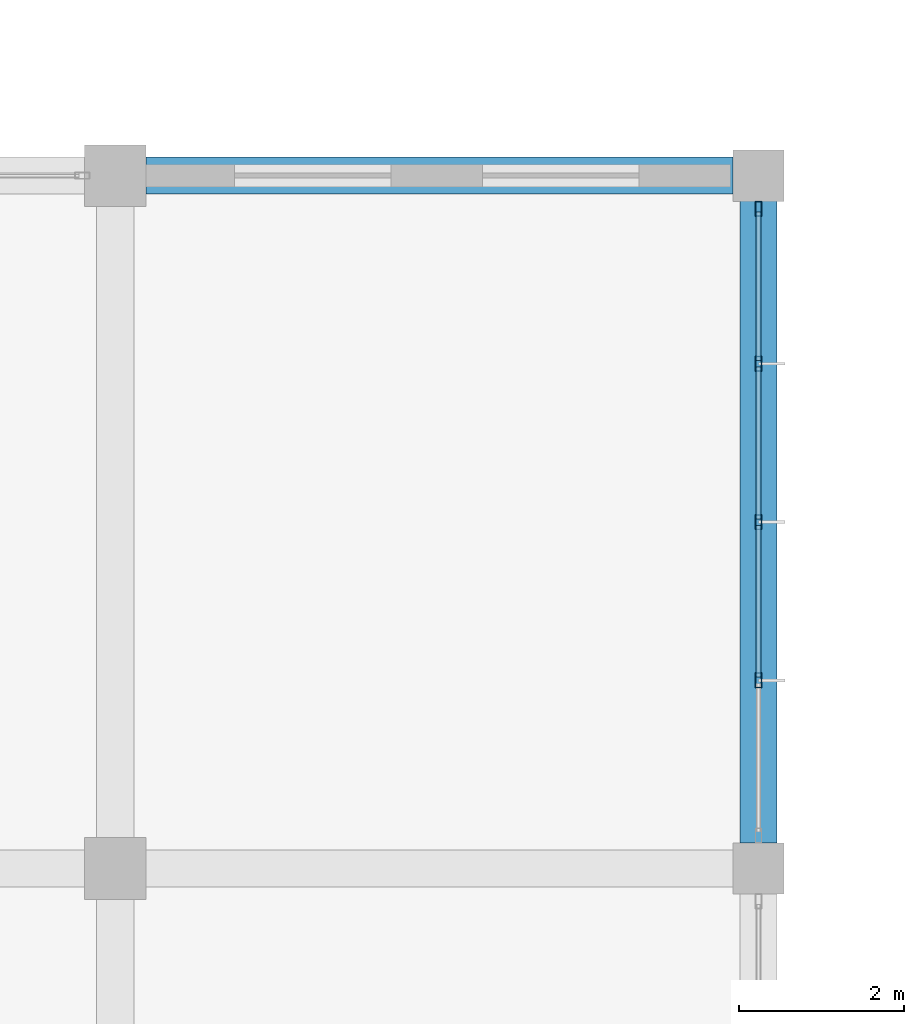
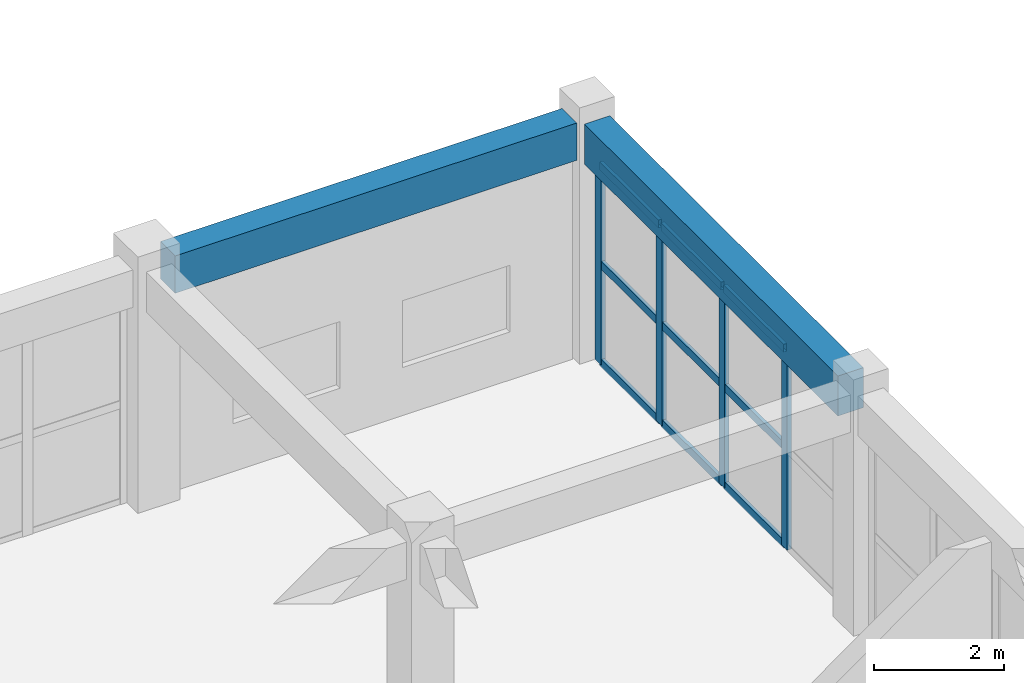
# One storey, part 124 of 167: 13 members, 2 beams, 1 element without a shape of its own.
"""IFC4 building model written with IfcOpenShell, lengths in metres."""

from ifc_helpers import new_model, si_unit, direction, frame, origin, origin_2d, place, context, subcontext, project, spatial, rectangle, hollow_rectangle, extrude, material, layer, layer_set, material_profile, profile_set, type_object, element, aggregate, save


model = new_model("IFC4")

# Units and contexts
model_context = context("Model", 3, precision=1e-05, world=origin(), true_north=direction((0.0, 1.0)))
body_context = subcontext(model_context, "Body", "Model", "MODEL_VIEW")
ifc_project = project(units=[si_unit("LENGTHUNIT", "METRE"), si_unit("AREAUNIT", "SQUARE_METRE"), si_unit("VOLUMEUNIT", "CUBIC_METRE"), si_unit("PLANEANGLEUNIT", "RADIAN"), si_unit("MASSUNIT", "GRAM", prefix="KILO")], contexts=[model_context])

# Site, building, storey
site_placement = place(None, origin())
site = spatial("IfcSite", under=ifc_project, at=site_placement, CompositionType="ELEMENT")
building_placement = place(site_placement, origin())
building = spatial("IfcBuilding", under=site, at=building_placement, Name="Zizhar Promenade General Hospital", CompositionType="ELEMENT")
storey_placement = place(building_placement, frame((0.0, 0.0, 9.60009765625)))
storey = spatial("IfcBuildingStorey", under=building, at=storey_placement, Name="L02", CompositionType="ELEMENT", Elevation=9.60009765625)

# Beams
ifc_material_1 = material(Name="Concrete C35/45", Category="concrete")
ifc_material_profile_1 = material_profile(ifc_material_1, rectangle(XDim=0.449951171875, YDim=0.699951171875, at=origin_2d()))
ifc_profile_set_1 = profile_set([ifc_material_profile_1], Name="Concrete C35/45")
beam_type_1 = type_object("IfcBeamType", Name="BM-RC-450x700", PredefinedType="BEAM", material=ifc_profile_set_1)
beam_1_placement = place(storey_placement, frame((125.175048828125, 134.39990234375, 4.119873046875), z_axis=(1.0, 0.0, 0.0), x_axis=(0.0, 1.0, 0.0)))
element("IfcBeam", 1, at=beam_1_placement, inside=storey, type_object=beam_type_1, Name="Grid Beam X L02 (16-16)", PredefinedType="BEAM", context=body_context, shape_type="SweptSolid", body=[
    extrude(rectangle(XDim=0.449951171875, YDim=0.699951171875, at=origin_2d()), origin(), (0.0, 0.0, 1.0), 7.114990234375),
])
ifc_material_2 = material(Name="Concrete C35/45", Category="concrete")
ifc_material_profile_2 = material_profile(ifc_material_2, rectangle(XDim=0.449951171875, YDim=0.75, at=origin_2d()))
ifc_profile_set_2 = profile_set([ifc_material_profile_2], Name="Concrete C35/45")
beam_type_2 = type_object("IfcBeamType", Name="BM-RC-450x750", PredefinedType="BEAM", material=ifc_profile_set_2)
beam_2_placement = place(storey_placement, frame((132.60009765625, 126.31005859375, 4.094970703125), z_axis=(0.0, 1.0, 0.0), x_axis=(-1.0, 0.0, 0.0)))
element("IfcBeam", 2, at=beam_2_placement, inside=storey, type_object=beam_type_2, Name="Grid Beam Y L02 (17-15)", PredefinedType="BEAM", context=body_context, shape_type="SweptSolid", body=[
    extrude(rectangle(XDim=0.449951171875, YDim=0.75, at=origin_2d()), origin(), (0.0, 0.0, 1.0), 7.780029296875),
])

# Curtain wall, members
ifc_material_3 = material(Name="Anodised aluminium 6063-T6 and low-E glass", Category="aluminium")
ifc_layer = layer(ifc_material_3, 0.159912109375)
ifc_layer_set = layer_set([ifc_layer], Name="Anodised aluminium 6063-T6 and low-E glass")
curtain_wall_type = type_object("IfcCurtainWallType", Name="CW-DT-MOD1", PredefinedType="NOTDEFINED", material=ifc_layer_set)
curtain_wall_placement = place(storey_placement, origin())
curtain_wall = element("IfcCurtainWall", 3, at=curtain_wall_placement, inside=storey, type_object=curtain_wall_type, Name="Surgical East Glazed Curtain Wall L02-15", PredefinedType="NOTDEFINED")
ifc_material_4 = material(Name="Anodised aluminium 6063-T6", Category="aluminium")
ifc_material_profile_3 = material_profile(ifc_material_4, hollow_rectangle(XDim=0.080078125, YDim=0.179931640625, WallThickness=0.0048828125, at=origin_2d()))
ifc_profile_set_3 = profile_set([ifc_material_profile_3], Name="Anodised aluminium 6063-T6")
member_type_1 = type_object("IfcMemberType", Name="CWM-ALU-180x80", PredefinedType="MULLION", material=ifc_profile_set_3)
member_1_placement = place(storey_placement, frame((132.60009765625, 134.0, 0.0), z_axis=(0.0, 0.0, 1.0), x_axis=(1.0, 0.0, 0.0)))
member_1 = element("IfcMember", 4, at=member_1_placement, type_object=member_type_1, Name="CW-07 mullion 1", PredefinedType="MULLION", context=body_context, shape_type="SweptSolid", body=[
    extrude(hollow_rectangle(XDim=0.080078125, YDim=0.179931640625, WallThickness=0.0048828125, at=origin_2d()), origin(), (0.0, 0.0, 1.0), 3.72998046875),
])
member_2_placement = place(storey_placement, frame((132.60009765625, 132.1201171875, 0.0), z_axis=(0.0, 0.0, 1.0), x_axis=(1.0, 0.0, 0.0)))
member_2 = element("IfcMember", 5, at=member_2_placement, type_object=member_type_1, Name="CW-07 mullion 2", PredefinedType="MULLION", context=body_context, shape_type="SweptSolid", body=[
    extrude(hollow_rectangle(XDim=0.080078125, YDim=0.179931640625, WallThickness=0.0048828125, at=origin_2d()), origin(), (0.0, 0.0, 1.0), 3.72998046875),
])
member_3_placement = place(storey_placement, frame((132.60009765625, 130.199951171875, 0.0), z_axis=(0.0, 0.0, 1.0), x_axis=(1.0, 0.0, 0.0)))
member_3 = element("IfcMember", 6, at=member_3_placement, type_object=member_type_1, Name="CW-07 mullion 3", PredefinedType="MULLION", context=body_context, shape_type="SweptSolid", body=[
    extrude(hollow_rectangle(XDim=0.080078125, YDim=0.179931640625, WallThickness=0.0048828125, at=origin_2d()), origin(), (0.0, 0.0, 1.0), 3.72998046875),
])
member_4_placement = place(storey_placement, frame((132.60009765625, 128.280029296875, 0.0), z_axis=(0.0, 0.0, 1.0), x_axis=(1.0, 0.0, 0.0)))
member_4 = element("IfcMember", 7, at=member_4_placement, type_object=member_type_1, Name="CW-07 mullion 4", PredefinedType="MULLION", context=body_context, shape_type="SweptSolid", body=[
    extrude(hollow_rectangle(XDim=0.080078125, YDim=0.179931640625, WallThickness=0.0048828125, at=origin_2d()), origin(), (0.0, 0.0, 1.0), 3.72998046875),
])
ifc_material_5 = material(Name="Anodised aluminium 6063-T6", Category="aluminium")
ifc_material_profile_4 = material_profile(ifc_material_5, hollow_rectangle(XDim=0.06005859375, YDim=0.14990234375, WallThickness=0.00390625, at=origin_2d()))
ifc_profile_set_4 = profile_set([ifc_material_profile_4], Name="Anodised aluminium 6063-T6")
member_type_2 = type_object("IfcMemberType", Name="CWT-ALU-150x60", PredefinedType="USERDEFINED", material=ifc_profile_set_4)
member_5_placement = place(storey_placement, frame((132.60009765625, 133.9599609375, 0.02978515625), z_axis=(0.0, -1.0, 0.0), x_axis=(1.0, 0.0, 0.0)))
member_5 = element("IfcMember", 8, at=member_5_placement, type_object=member_type_2, Name="CW-07 transom 1.1", ObjectType="TRANSOM", PredefinedType="USERDEFINED", context=body_context, shape_type="SweptSolid", body=[
    extrude(hollow_rectangle(XDim=0.06005859375, YDim=0.14990234375, WallThickness=0.00390625, at=origin_2d()), origin(), (0.0, 0.0, 1.0), 1.800048828125),
])
member_6_placement = place(storey_placement, frame((132.60009765625, 133.9599609375, 1.864990234375), z_axis=(0.0, -1.0, 0.0), x_axis=(1.0, 0.0, 0.0)))
member_6 = element("IfcMember", 9, at=member_6_placement, type_object=member_type_2, Name="CW-07 transom 1.2", ObjectType="TRANSOM", PredefinedType="USERDEFINED", context=body_context, shape_type="SweptSolid", body=[
    extrude(hollow_rectangle(XDim=0.06005859375, YDim=0.14990234375, WallThickness=0.00390625, at=origin_2d()), origin(), (0.0, 0.0, 1.0), 1.800048828125),
])
member_7_placement = place(storey_placement, frame((132.60009765625, 133.9599609375, 3.699951171875), z_axis=(0.0, -1.0, 0.0), x_axis=(1.0, 0.0, 0.0)))
member_7 = element("IfcMember", 10, at=member_7_placement, type_object=member_type_2, Name="CW-07 transom 1.3", ObjectType="TRANSOM", PredefinedType="USERDEFINED", context=body_context, shape_type="SweptSolid", body=[
    extrude(hollow_rectangle(XDim=0.06005859375, YDim=0.14990234375, WallThickness=0.00390625, at=origin_2d()), origin(), (0.0, 0.0, 1.0), 1.800048828125),
])
member_8_placement = place(storey_placement, frame((132.60009765625, 132.080078125, 0.02978515625), z_axis=(0.0, -1.0, 0.0), x_axis=(1.0, 0.0, 0.0)))
member_8 = element("IfcMember", 11, at=member_8_placement, type_object=member_type_2, Name="CW-07 transom 2.1", ObjectType="TRANSOM", PredefinedType="USERDEFINED", context=body_context, shape_type="SweptSolid", body=[
    extrude(hollow_rectangle(XDim=0.06005859375, YDim=0.14990234375, WallThickness=0.00390625, at=origin_2d()), origin(), (0.0, 0.0, 1.0), 1.840087890625),
])
member_9_placement = place(storey_placement, frame((132.60009765625, 132.080078125, 1.864990234375), z_axis=(0.0, -1.0, 0.0), x_axis=(1.0, 0.0, 0.0)))
member_9 = element("IfcMember", 12, at=member_9_placement, type_object=member_type_2, Name="CW-07 transom 2.2", ObjectType="TRANSOM", PredefinedType="USERDEFINED", context=body_context, shape_type="SweptSolid", body=[
    extrude(hollow_rectangle(XDim=0.06005859375, YDim=0.14990234375, WallThickness=0.00390625, at=origin_2d()), origin(), (0.0, 0.0, 1.0), 1.840087890625),
])
member_10_placement = place(storey_placement, frame((132.60009765625, 132.080078125, 3.699951171875), z_axis=(0.0, -1.0, 0.0), x_axis=(1.0, 0.0, 0.0)))
member_10 = element("IfcMember", 13, at=member_10_placement, type_object=member_type_2, Name="CW-07 transom 2.3", ObjectType="TRANSOM", PredefinedType="USERDEFINED", context=body_context, shape_type="SweptSolid", body=[
    extrude(hollow_rectangle(XDim=0.06005859375, YDim=0.14990234375, WallThickness=0.00390625, at=origin_2d()), origin(), (0.0, 0.0, 1.0), 1.840087890625),
])
member_11_placement = place(storey_placement, frame((132.60009765625, 130.159912109375, 0.02978515625), z_axis=(0.0, -1.0, 0.0), x_axis=(1.0, 0.0, 0.0)))
member_11 = element("IfcMember", 14, at=member_11_placement, type_object=member_type_2, Name="CW-07 transom 3.1", ObjectType="TRANSOM", PredefinedType="USERDEFINED", context=body_context, shape_type="SweptSolid", body=[
    extrude(hollow_rectangle(XDim=0.06005859375, YDim=0.14990234375, WallThickness=0.00390625, at=origin_2d()), origin(), (0.0, 0.0, 1.0), 1.83984375),
])
member_12_placement = place(storey_placement, frame((132.60009765625, 130.159912109375, 1.864990234375), z_axis=(0.0, -1.0, 0.0), x_axis=(1.0, 0.0, 0.0)))
member_12 = element("IfcMember", 15, at=member_12_placement, type_object=member_type_2, Name="CW-07 transom 3.2", ObjectType="TRANSOM", PredefinedType="USERDEFINED", context=body_context, shape_type="SweptSolid", body=[
    extrude(hollow_rectangle(XDim=0.06005859375, YDim=0.14990234375, WallThickness=0.00390625, at=origin_2d()), origin(), (0.0, 0.0, 1.0), 1.83984375),
])
member_13_placement = place(storey_placement, frame((132.60009765625, 130.159912109375, 3.699951171875), z_axis=(0.0, -1.0, 0.0), x_axis=(1.0, 0.0, 0.0)))
member_13 = element("IfcMember", 16, at=member_13_placement, type_object=member_type_2, Name="CW-07 transom 3.3", ObjectType="TRANSOM", PredefinedType="USERDEFINED", context=body_context, shape_type="SweptSolid", body=[
    extrude(hollow_rectangle(XDim=0.06005859375, YDim=0.14990234375, WallThickness=0.00390625, at=origin_2d()), origin(), (0.0, 0.0, 1.0), 1.83984375),
])
aggregate(curtain_wall, [member_1, member_2, member_3, member_4, member_5, member_6, member_7, member_8, member_9, member_10, member_11, member_12, member_13])

save(model, "model.ifc")
